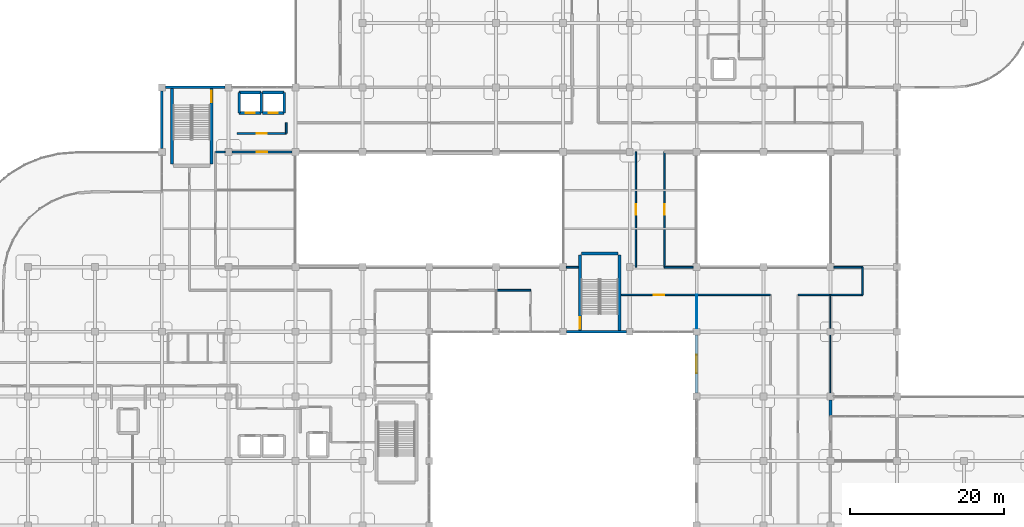
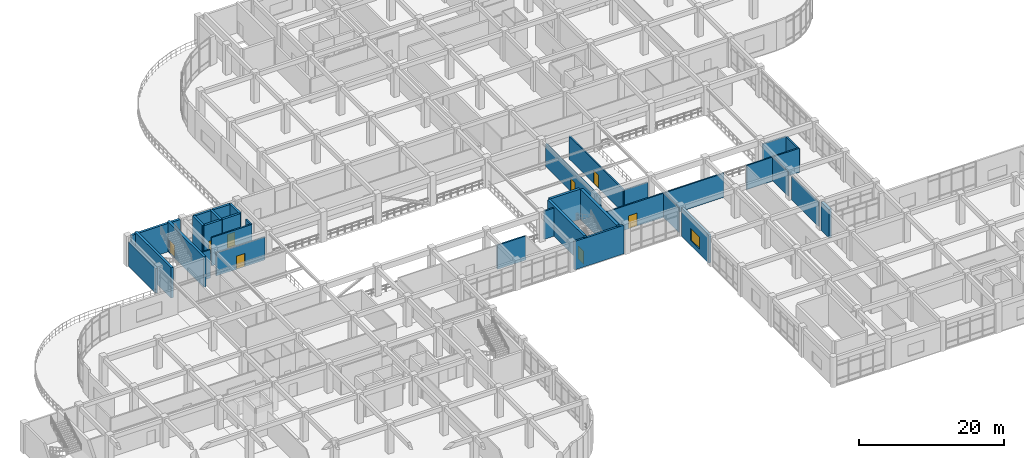
# One storey, part 102 of 120: 35 walls, 9 doors, 1 window, 10 openings.
"""IFC4 building model written with IfcOpenShell, lengths in metres."""

import ifcopenshell
import ifcopenshell.guid

model = None  # the IFC model being written
_history = None  # IfcOwnerHistory: only IFC2X3 demands one
_inside = {}  # id of a spatial element -> (the spatial element, [elements in it])
_under = {}  # id of a project, library or spatial element -> (it, [spatial elements below it])
_declared = {}  # id of a project -> (the project, [libraries it declares])
_typed = {}  # id of a type object -> (the type object, [elements of that type])
_made_of = {}  # id of a material, layer set ... -> (it, [elements and type objects made of it])


def new_model(schema):
    """Start an empty IFC model of exactly this schema.

    Asked for "IFC4X3", IfcOpenShell would pick the latest addendum, in which some entities
    have other attributes; the version numbers below select the first issue.
    IFC2X3 requires an IfcOwnerHistory on every rooted entity: one is made here for all.
    """
    global model, _history
    if schema == "IFC4X3":
        model = ifcopenshell.file(schema_version=(4, 3, 0, 0))
    else:
        model = ifcopenshell.file(schema=schema)
    _inside.clear()
    _under.clear()
    _declared.clear()
    _typed.clear()
    _made_of.clear()
    _history = None
    if model.schema == "IFC2X3":
        org = make("IfcOrganization", Name="unknown")
        user = make(
            "IfcPersonAndOrganization",
            ThePerson=make("IfcPerson", FamilyName="unknown"),
            TheOrganization=org,
        )
        app = make(
            "IfcApplication",
            ApplicationDeveloper=org,
            Version="unknown",
            ApplicationFullName="unknown",
            ApplicationIdentifier="unknown",
        )
        _history = make(
            "IfcOwnerHistory",
            OwningUser=user,
            OwningApplication=app,
            ChangeAction="ADDED",
            CreationDate=0,
        )
    return model


def make(cls, **values):
    """One entity of the class cls with the attributes given. An attribute that is None is left unset."""
    return model.create_entity(
        cls, **{name: value for name, value in values.items() if value is not None}
    )


def rooted(cls, **values):
    """An entity with a GlobalId (a new one), such as an element, a storey or a relation."""
    return make(cls, GlobalId=ifcopenshell.guid.new(), OwnerHistory=_history, **values)


def si_unit(unit_type, name, prefix=None):
    """IfcSIUnit, for example si_unit("LENGTHUNIT", "METRE", prefix="MILLI")."""
    return make("IfcSIUnit", UnitType=unit_type, Prefix=prefix, Name=name)


def derived_unit(unit_type, elements):
    """IfcDerivedUnit: a product of units, each with its exponent."""
    return make(
        "IfcDerivedUnit",
        Elements=[
            make("IfcDerivedUnitElement", Unit=unit, Exponent=power)
            for unit, power in elements
        ],
        UnitType=unit_type,
    )


def assignment(units):
    """IfcUnitAssignment: the units of a project."""
    return None if units is None else make("IfcUnitAssignment", Units=units)


def point(xyz):
    """IfcCartesianPoint."""
    return None if xyz is None else make("IfcCartesianPoint", Coordinates=xyz)


def direction(xyz):
    """IfcDirection."""
    return None if xyz is None else make("IfcDirection", DirectionRatios=xyz)


def frame(location, z_axis=None, x_axis=None):
    """IfcAxis2Placement3D, a coordinate frame: its origin and axes. An axis left out is left unset."""
    return make(
        "IfcAxis2Placement3D",
        Location=point(location),
        Axis=direction(z_axis),
        RefDirection=direction(x_axis),
    )


def frame_2d(location, x_axis=None):
    """IfcAxis2Placement2D, a coordinate frame in the plane: its origin and x axis."""
    return make(
        "IfcAxis2Placement2D", Location=point(location), RefDirection=direction(x_axis)
    )


def origin():
    """The frame at (0, 0, 0) with its axes left unset."""
    return frame((0.0, 0.0, 0.0))


def place(relative_to, where):
    """IfcLocalPlacement: puts the frame where relative to a parent placement (None: the world)."""
    return make(
        "IfcLocalPlacement", PlacementRelTo=relative_to, RelativePlacement=where
    )


def context(
    kind, dimensions, precision=None, world=None, true_north=None, identifier=None
):
    """IfcGeometricRepresentationContext, for example the 3D "Model" context."""
    return make(
        "IfcGeometricRepresentationContext",
        ContextIdentifier=identifier,
        ContextType=kind,
        CoordinateSpaceDimension=dimensions,
        Precision=precision,
        WorldCoordinateSystem=world,
        TrueNorth=true_north,
    )


def subcontext(parent, identifier, kind, view, scale=None):
    """IfcGeometricRepresentationSubContext, for example "Body" below "Model"."""
    return make(
        "IfcGeometricRepresentationSubContext",
        ContextIdentifier=identifier,
        ContextType=kind,
        ParentContext=parent,
        TargetScale=scale,
        TargetView=view,
    )


def project(units=None, contexts=None):
    """IfcProject with its units and contexts."""
    return rooted(
        "IfcProject",
        Name="project",
        RepresentationContexts=contexts,
        UnitsInContext=assignment(units),
    )


def spatial(cls, under=None, at=None, **own):
    """A site, building, storey or space (cls), placed at a placement, below another one or the project."""
    s = rooted(cls, ObjectPlacement=at, **own)
    if under is not None:
        _under.setdefault(under.id(), (under, []))[1].append(s)
    return s


def profile(cls, at=None, kind="AREA", **sizes):
    """A parametric profile (cls). Its sizes go by their IFC names, for example OverallWidth=200.0."""
    return make(cls, ProfileType=kind, Position=at, **sizes)


def rectangle(**sizes):
    """IfcRectangleProfileDef."""
    return profile("IfcRectangleProfileDef", **sizes)


def extrude(swept, where, along, depth):
    """IfcExtrudedAreaSolid: the profile swept, set in the frame where, extruded along a direction by depth."""
    return make(
        "IfcExtrudedAreaSolid",
        SweptArea=swept,
        Position=where,
        ExtrudedDirection=direction(along),
        Depth=depth,
    )


def shape(context_of_items, identifier, shape_type, items):
    """IfcShapeRepresentation: the items that make up one representation, for example the "Body"."""
    return make(
        "IfcShapeRepresentation",
        ContextOfItems=context_of_items,
        RepresentationIdentifier=identifier,
        RepresentationType=shape_type,
        Items=items,
    )


def material(Name=None, Category=None):
    """IfcMaterial."""
    return make("IfcMaterial", Name=Name, Category=Category)


def layer(
    of_material, thickness, ventilated=None, Name=None, Category=None, Priority=None
):
    """IfcMaterialLayer: one layer of a wall or slab, of a material (None: an air gap)."""
    return make(
        "IfcMaterialLayer",
        Material=of_material,
        LayerThickness=thickness,
        IsVentilated=ventilated,
        Name=Name,
        Category=Category,
        Priority=Priority,
    )


def layer_set(layers, Name=None):
    """IfcMaterialLayerSet."""
    return make("IfcMaterialLayerSet", MaterialLayers=layers, LayerSetName=Name)


def made_of(thing, what):
    """Note that an element or type object is made of a material, layer set ...; save() writes the relation."""
    if what is not None:
        _made_of.setdefault(what.id(), (what, []))[1].append(thing)
    return thing


def type_object(cls, material=None, **own):
    """A type object (cls), such as IfcWallType, which elements share."""
    return made_of(rooted(cls, **own), material)


def element(
    cls,
    number,
    at=None,
    inside=None,
    cuts=None,
    type_object=None,
    material=None,
    context=None,
    identifier="Body",
    shape_type=None,
    held_by="IfcProductDefinitionShape",
    body=None,
    shapes=None,
    **own,
):
    """One element of the class cls, such as IfcWall. Its Tag is "e" and its number.

    at: its placement. inside: the storey or other place that contains it. cuts: it is an
    opening in that element (IfcRelVoidsElement). A single representation is given by context,
    identifier, shape_type and body (its items); several are given by shapes. held_by: the class
    of the entity that holds the representations. save() writes the other relations.
    """
    e = rooted(cls, Tag="e%d" % number, ObjectPlacement=at, **own)
    if body is not None:
        shapes = [shape(context, identifier, shape_type, body)]
    if shapes is not None:
        e.Representation = make(held_by, Representations=shapes)
    if inside is not None:
        _inside.setdefault(inside.id(), (inside, []))[1].append(e)
    if cuts is not None:
        rooted(
            "IfcRelVoidsElement", RelatingBuildingElement=cuts, RelatedOpeningElement=e
        )
    if type_object is not None:
        _typed.setdefault(type_object.id(), (type_object, []))[1].append(e)
    return made_of(e, material)


def fill(opening, filler):
    """IfcRelFillsElement: the door or window that sits in an opening."""
    return rooted(
        "IfcRelFillsElement",
        RelatingOpeningElement=opening,
        RelatedBuildingElement=filler,
    )


def aggregate(whole, parts):
    """IfcRelAggregates: a whole, such as a stair, and the parts it consists of."""
    return rooted("IfcRelAggregates", RelatingObject=whole, RelatedObjects=parts)


def save(model, path):
    """Write the relations noted so far, then the file.

    IfcRelAggregates (storeys below a building ...), IfcRelContainedInSpatialStructure (elements
    in a storey), IfcRelDefinesByType, IfcRelAssociatesMaterial and IfcRelDeclares: one each for
    every whole, place, type object, material and project.
    """
    for whole, parts in _under.values():
        aggregate(whole, parts)
    for where, things in _inside.values():
        rooted(
            "IfcRelContainedInSpatialStructure",
            RelatedElements=things,
            RelatingStructure=where,
        )
    for kind, things in _typed.values():
        rooted("IfcRelDefinesByType", RelatedObjects=things, RelatingType=kind)
    for what, things in _made_of.values():
        rooted("IfcRelAssociatesMaterial", RelatedObjects=things, RelatingMaterial=what)
    for by, libraries in _declared.values():
        rooted("IfcRelDeclares", RelatingContext=by, RelatedDefinitions=libraries)
    model.write(path)


model = new_model("IFC4")

# Units and contexts
model_context = context("Model", 3, precision=1e-05, world=origin(), true_north=direction((0.0, 1.0)))
body_context = subcontext(model_context, "Body", "Model", "MODEL_VIEW")
ifc_project = project(units=[si_unit("LENGTHUNIT", "METRE"), si_unit("AREAUNIT", "SQUARE_METRE"), si_unit("VOLUMEUNIT", "CUBIC_METRE"), si_unit("PLANEANGLEUNIT", "RADIAN"), si_unit("MASSUNIT", "GRAM", prefix="KILO"), derived_unit("THERMALTRANSMITTANCEUNIT", [(si_unit("MASSUNIT", "GRAM", prefix="KILO"), 1), (si_unit("TIMEUNIT", "SECOND"), -3), (si_unit("THERMODYNAMICTEMPERATUREUNIT", "KELVIN"), -1)])], contexts=[model_context])

# Site, building, storey
site_placement = place(None, origin())
site = spatial("IfcSite", under=ifc_project, at=site_placement, CompositionType="ELEMENT")
building_placement = place(site_placement, origin())
building = spatial("IfcBuilding", under=site, at=building_placement, Name="Qinzheling Arcade Emporium", CompositionType="ELEMENT")
storey_placement = place(building_placement, frame((0.0, 0.0, 11.39990234375)))
storey = spatial("IfcBuildingStorey", under=building, at=storey_placement, Name="L03", CompositionType="ELEMENT", Elevation=11.39990234375)

# Wall
ifc_material_1 = material(Name="Double-stud acoustic gypsum board partition")
ifc_layer_1 = layer(ifc_material_1, 0.215087890625, Name="Double-stud acoustic gypsum board partition")
ifc_layer_set_1 = layer_set([ifc_layer_1], Name="Double-stud acoustic gypsum board partition")
wall_type_1 = type_object("IfcWallType", Name="Acoustic Corridor Partition Wall 215", PredefinedType="PARTITIONING", material=ifc_layer_set_1)
wall_1_placement = place(storey_placement, frame((51.0, 69.199951171875, 0.0), z_axis=(0.0, 0.0, 1.0), x_axis=(0.0, -1.0, 0.0)))
element("IfcWall", 1, at=wall_1_placement, inside=storey, type_object=wall_type_1, Name="Interior Wall WL-L03-INT-0441", PredefinedType="PARTITIONING", context=body_context, shape_type="SweptSolid", body=[
    extrude(rectangle(XDim=1.39990234375, YDim=0.215087890625, at=frame_2d((0.699951171875, 0.0))), origin(), (0.0, 0.0, 1.0), 4.760009765625),
])

# Wall, opening, door
wall_2_placement = place(storey_placement, frame((51.0, 67.800048828125, 0.0), z_axis=(0.0, 0.0, 1.0), x_axis=(-1.0, 0.0, 0.0)))
wall_2 = element("IfcWall", 2, at=wall_2_placement, inside=storey, type_object=wall_type_1, Name="Interior Wall WL-L03-INT-0442", PredefinedType="PARTITIONING", context=body_context, shape_type="SweptSolid", body=[
    extrude(rectangle(XDim=6.39990234375, YDim=0.215087890625, at=frame_2d((3.199951171875, 0.0))), origin(), (0.0, 0.0, 1.0), 4.760009765625),
])
opening_1_placement = place(wall_2_placement, frame((2.52490234375, 0.0, 0.0)))
opening_1 = element("IfcOpeningElement", 3, at=opening_1_placement, cuts=wall_2, Name="Opening FD05", PredefinedType="OPENING", context=body_context, shape_type="SweptSolid", body=[
    extrude(rectangle(XDim=1.35009765625, YDim=2.199951171875, at=frame_2d((0.675048828125, 1.10009765625))), frame((0.0, 0.11767578125, 0.0), z_axis=(0.0, -1.0, 0.0), x_axis=(1.0, 0.0, 0.0)), (0.0, 0.0, 1.0), 0.235107421875),
])
ifc_material_2 = material(Name="Class B fire-rated stainless-clad door")
door_type_1 = type_object("IfcDoorType", Name="Kitchen Fire-Rated Service Door 1350x2200", OperationType="NOTDEFINED", PredefinedType="DOOR", material=ifc_material_2)
door_1_placement = place(opening_1_placement, origin())
door_1 = element("IfcDoor", 4, at=door_1_placement, inside=storey, type_object=door_type_1, Name="FD05 Interior Door DR-L03-INT-0122", OperationType="SINGLE_SWING_RIGHT", OverallHeight=2.199951171875, OverallWidth=1.35009765625, PredefinedType="DOOR", context=body_context, shape_type="SweptSolid", body=[
    extrude(rectangle(XDim=1.35009765625, YDim=2.199951171875, at=frame_2d((0.675048828125, 1.10009765625))), frame((0.0, 0.02490234375, 0.0), z_axis=(0.0, -1.0, 0.0), x_axis=(1.0, 0.0, 0.0)), (0.0, 0.0, 1.0), 0.050048828125),
])
fill(opening_1, door_1)

wall_3_placement = place(storey_placement, frame((51.739990234375, 65.39990234375, 0.0), z_axis=(0.0, 0.0, 1.0), x_axis=(-1.0, 0.0, 0.0)))
wall_3 = element("IfcWall", 5, at=wall_3_placement, inside=storey, type_object=wall_type_1, Name="Interior Wall WL-L03-INT-0484", PredefinedType="PARTITIONING", context=body_context, shape_type="SweptSolid", body=[
    extrude(rectangle(XDim=7.780029296875, YDim=0.215087890625, at=frame_2d((3.89013671875, 0.0))), origin(), (0.0, 0.0, 1.0), 3.860107421875),
])
opening_2_placement = place(wall_3_placement, frame((3.215087890625, 0.0, 0.0)))
opening_2 = element("IfcOpeningElement", 6, at=opening_2_placement, cuts=wall_3, Name="Opening FD05", PredefinedType="OPENING", context=body_context, shape_type="SweptSolid", body=[
    extrude(rectangle(XDim=1.35009765625, YDim=2.199951171875, at=frame_2d((0.675048828125, 1.10009765625))), frame((0.0, 0.11767578125, 0.0), z_axis=(0.0, -1.0, 0.0), x_axis=(1.0, 0.0, 0.0)), (0.0, 0.0, 1.0), 0.235107421875),
])
door_2_placement = place(opening_2_placement, origin())
door_2 = element("IfcDoor", 7, at=door_2_placement, inside=storey, type_object=door_type_1, Name="FD05 Interior Door DR-L03-INT-0137", OperationType="SINGLE_SWING_LEFT", OverallHeight=2.199951171875, OverallWidth=1.35009765625, PredefinedType="DOOR", context=body_context, shape_type="SweptSolid", body=[
    extrude(rectangle(XDim=1.35009765625, YDim=2.199951171875, at=frame_2d((0.675048828125, 1.10009765625))), frame((0.0, 0.02490234375, 0.0), z_axis=(0.0, -1.0, 0.0), x_axis=(1.0, 0.0, 0.0)), (0.0, 0.0, 1.0), 0.050048828125),
])
fill(opening_2, door_2)

# Wall
wall_4_placement = place(storey_placement, frame((43.0400390625, 65.39990234375, 0.0), z_axis=(0.0, 0.0, 1.0), x_axis=(-1.0, 0.0, 0.0)))
element("IfcWall", 8, at=wall_4_placement, inside=storey, type_object=wall_type_1, Name="Interior Wall WL-L03-INT-0485", PredefinedType="PARTITIONING", context=body_context, shape_type="SweptSolid", body=[
    extrude(rectangle(XDim=1.239990234375, YDim=0.215087890625, at=frame_2d((0.6201171875, 0.0))), origin(), (0.0, 0.0, 1.0), 4.760009765625),
])

# Wall, opening, door
wall_5_placement = place(storey_placement, frame((104.39990234375, 46.800048828125, 0.0), z_axis=(0.0, 0.0, 1.0), x_axis=(-1.0, 0.0, 0.0)))
wall_5 = element("IfcWall", 9, at=wall_5_placement, inside=storey, type_object=wall_type_1, Name="Interior Wall WL-L03-INT-0489", PredefinedType="PARTITIONING", context=body_context, shape_type="SweptSolid", body=[
    extrude(rectangle(XDim=9.804931640625, YDim=0.215087890625, at=frame_2d((4.90234375, 0.0))), origin(), (0.0, 0.0, 1.0), 4.06005859375),
])
opening_3_placement = place(wall_5_placement, frame((4.22802734375, 0.0, 0.0)))
opening_3 = element("IfcOpeningElement", 10, at=opening_3_placement, cuts=wall_5, Name="Opening FD05", PredefinedType="OPENING", context=body_context, shape_type="SweptSolid", body=[
    extrude(rectangle(XDim=1.35009765625, YDim=2.199951171875, at=frame_2d((0.675048828125, 1.10009765625))), frame((0.0, 0.11767578125, 0.0), z_axis=(0.0, -1.0, 0.0), x_axis=(1.0, 0.0, 0.0)), (0.0, 0.0, 1.0), 0.235107421875),
])
door_3_placement = place(opening_3_placement, origin())
door_3 = element("IfcDoor", 11, at=door_3_placement, inside=storey, type_object=door_type_1, Name="FD05 Interior Door DR-L03-INT-0140", OperationType="SINGLE_SWING_RIGHT", OverallHeight=2.199951171875, OverallWidth=1.35009765625, PredefinedType="DOOR", context=body_context, shape_type="SweptSolid", body=[
    extrude(rectangle(XDim=1.35009765625, YDim=2.199951171875, at=frame_2d((0.675048828125, 1.10009765625))), frame((0.0, 0.02490234375, 0.0), z_axis=(0.0, -1.0, 0.0), x_axis=(1.0, 0.0, 0.0)), (0.0, 0.0, 1.0), 0.050048828125),
])
fill(opening_3, door_3)

# Wall
wall_6_placement = place(storey_placement, frame((82.800048828125, 47.39990234375, 0.0), z_axis=(0.0, 0.0, 1.0), x_axis=(-1.0, 0.0, 0.0)))
element("IfcWall", 12, at=wall_6_placement, inside=storey, type_object=wall_type_1, Name="Interior Wall WL-L03-INT-0491", PredefinedType="PARTITIONING", context=body_context, shape_type="SweptSolid", body=[
    extrude(rectangle(XDim=4.5, YDim=0.215087890625, at=frame_2d((2.25, 0.0))), origin(), (0.0, 0.0, 1.0), 4.06005859375),
])

# Wall, opening, door
wall_7_placement = place(storey_placement, frame((100.199951171875, 65.39990234375, 0.0), z_axis=(0.0, 0.0, 1.0), x_axis=(0.0, -1.0, 0.0)))
wall_7 = element("IfcWall", 13, at=wall_7_placement, inside=storey, type_object=wall_type_1, Name="Interior Wall WL-L03-INT-0497", PredefinedType="PARTITIONING", context=body_context, shape_type="SweptSolid", body=[
    extrude(rectangle(XDim=15.0, YDim=0.215087890625, at=frame_2d((7.5, 0.0))), origin(), (0.0, 0.0, 1.0), 3.860107421875),
])
opening_4_placement = place(wall_7_placement, frame((6.824951171875, 0.0, 0.0)))
opening_4 = element("IfcOpeningElement", 14, at=opening_4_placement, cuts=wall_7, Name="Opening FD05", PredefinedType="OPENING", context=body_context, shape_type="SweptSolid", body=[
    extrude(rectangle(XDim=1.35009765625, YDim=2.199951171875, at=frame_2d((0.675048828125, 1.10009765625))), frame((0.0, 0.11767578125, 0.0), z_axis=(0.0, -1.0, 0.0), x_axis=(1.0, 0.0, 0.0)), (0.0, 0.0, 1.0), 0.235107421875),
])
door_4_placement = place(opening_4_placement, origin())
door_4 = element("IfcDoor", 15, at=door_4_placement, inside=storey, type_object=door_type_1, Name="FD05 Interior Door DR-L03-INT-0144", OperationType="SINGLE_SWING_RIGHT", OverallHeight=2.199951171875, OverallWidth=1.35009765625, PredefinedType="DOOR", context=body_context, shape_type="SweptSolid", body=[
    extrude(rectangle(XDim=1.35009765625, YDim=2.199951171875, at=frame_2d((0.675048828125, 1.10009765625))), frame((0.0, 0.02490234375, 0.0), z_axis=(0.0, -1.0, 0.0), x_axis=(1.0, 0.0, 0.0)), (0.0, 0.0, 1.0), 0.050048828125),
])
fill(opening_4, door_4)

# Walls
wall_8_placement = place(storey_placement, frame((100.199951171875, 50.39990234375, 0.0), z_axis=(0.0, 0.0, 1.0), x_axis=(1.0, 0.0, 0.0)))
element("IfcWall", 16, at=wall_8_placement, inside=storey, type_object=wall_type_1, Name="Interior Wall WL-L03-INT-0498", PredefinedType="PARTITIONING", context=body_context, shape_type="SweptSolid", body=[
    extrude(rectangle(XDim=3.739990234375, YDim=0.215087890625, at=frame_2d((1.8701171875, 0.0))), origin(), (0.0, 0.0, 1.0), 3.860107421875),
])
wall_9_placement = place(storey_placement, frame((87.4599609375, 50.39990234375, 0.0), z_axis=(0.0, 0.0, 1.0), x_axis=(1.0, 0.0, 0.0)))
element("IfcWall", 17, at=wall_9_placement, inside=storey, type_object=wall_type_1, Name="Interior Wall WL-L03-INT-0499", PredefinedType="PARTITIONING", context=body_context, shape_type="SweptSolid", body=[
    extrude(rectangle(XDim=1.53515625, YDim=0.215087890625, at=frame_2d((0.767578125, 0.0))), origin(), (0.0, 0.0, 1.0), 4.760009765625),
])

# Wall, opening, door
wall_10_placement = place(storey_placement, frame((96.5, 50.39990234375, 0.0), z_axis=(0.0, 0.0, 1.0), x_axis=(0.0, 1.0, 0.0)))
wall_10 = element("IfcWall", 18, at=wall_10_placement, inside=storey, type_object=wall_type_1, Name="Interior Wall WL-L03-INT-0500", PredefinedType="PARTITIONING", context=body_context, shape_type="SweptSolid", body=[
    extrude(rectangle(XDim=15.0, YDim=0.215087890625, at=frame_2d((7.5, 0.0))), origin(), (0.0, 0.0, 1.0), 3.860107421875),
])
opening_5_placement = place(wall_10_placement, frame((6.824951171875, 0.0, 0.0)))
opening_5 = element("IfcOpeningElement", 19, at=opening_5_placement, cuts=wall_10, Name="Opening FD05", PredefinedType="OPENING", context=body_context, shape_type="SweptSolid", body=[
    extrude(rectangle(XDim=1.35009765625, YDim=2.199951171875, at=frame_2d((0.675048828125, 1.10009765625))), frame((0.0, 0.11767578125, 0.0), z_axis=(0.0, -1.0, 0.0), x_axis=(1.0, 0.0, 0.0)), (0.0, 0.0, 1.0), 0.235107421875),
])
door_5_placement = place(opening_5_placement, origin())
door_5 = element("IfcDoor", 20, at=door_5_placement, inside=storey, type_object=door_type_1, Name="FD05 Interior Door DR-L03-INT-0145", OperationType="SINGLE_SWING_LEFT", OverallHeight=2.199951171875, OverallWidth=1.35009765625, PredefinedType="DOOR", context=body_context, shape_type="SweptSolid", body=[
    extrude(rectangle(XDim=1.35009765625, YDim=2.199951171875, at=frame_2d((0.675048828125, 1.10009765625))), frame((0.0, 0.02490234375, 0.0), z_axis=(0.0, -1.0, 0.0), x_axis=(1.0, 0.0, 0.0)), (0.0, 0.0, 1.0), 0.050048828125),
])
fill(opening_5, door_5)

# Walls
wall_11_placement = place(storey_placement, frame((114.0, 46.800048828125, 0.0), z_axis=(0.0, 0.0, 1.0), x_axis=(-1.0, 0.0, 0.0)))
element("IfcWall", 21, at=wall_11_placement, inside=storey, type_object=wall_type_1, Name="Interior Wall WL-L03-INT-0504", PredefinedType="PARTITIONING", context=body_context, shape_type="SweptSolid", body=[
    extrude(rectangle(XDim=9.60009765625, YDim=0.215087890625, at=frame_2d((4.800048828125, 0.0))), origin(), (0.0, 0.0, 1.0), 4.06005859375),
])
wall_12_placement = place(storey_placement, frame((121.800048828125, 46.800048828125, 0.0), z_axis=(0.0, 0.0, 1.0), x_axis=(-1.0, 0.0, 0.0)))
element("IfcWall", 22, at=wall_12_placement, inside=storey, type_object=wall_type_1, Name="Interior Wall WL-L03-INT-0508", PredefinedType="PARTITIONING", context=body_context, shape_type="SweptSolid", body=[
    extrude(rectangle(XDim=4.199951171875, YDim=0.215087890625, at=frame_2d((2.10009765625, 0.0))), origin(), (0.0, 0.0, 1.0), 4.06005859375),
])
wall_13_placement = place(storey_placement, frame((122.260009765625, 50.39990234375, 0.0), z_axis=(0.0, 0.0, 1.0), x_axis=(1.0, 0.0, 0.0)))
element("IfcWall", 23, at=wall_13_placement, inside=storey, type_object=wall_type_1, Name="Interior Wall WL-L03-INT-0514", PredefinedType="PARTITIONING", context=body_context, shape_type="SweptSolid", body=[
    extrude(rectangle(XDim=3.739990234375, YDim=0.215087890625, at=frame_2d((1.8701171875, 0.0))), origin(), (0.0, 0.0, 1.0), 3.860107421875),
])
wall_14_placement = place(storey_placement, frame((126.0, 50.39990234375, 0.0), z_axis=(0.0, 0.0, 1.0), x_axis=(0.0, -1.0, 0.0)))
element("IfcWall", 24, at=wall_14_placement, inside=storey, type_object=wall_type_1, Name="Interior Wall WL-L03-INT-0515", PredefinedType="PARTITIONING", context=body_context, shape_type="SweptSolid", body=[
    extrude(rectangle(XDim=3.599853515625, YDim=0.215087890625, at=frame_2d((1.7998046875, 0.0))), origin(), (0.0, 0.0, 1.0), 3.860107421875),
])
wall_15_placement = place(storey_placement, frame((126.0, 46.800048828125, 0.0), z_axis=(0.0, 0.0, 1.0), x_axis=(-1.0, 0.0, 0.0)))
element("IfcWall", 25, at=wall_15_placement, inside=storey, type_object=wall_type_1, Name="Interior Wall WL-L03-INT-0516", PredefinedType="PARTITIONING", context=body_context, shape_type="SweptSolid", body=[
    extrude(rectangle(XDim=4.199951171875, YDim=0.215087890625, at=frame_2d((2.10009765625, 0.0))), origin(), (0.0, 0.0, 1.0), 4.06005859375),
])
ifc_material_3 = material(Name="Galvanised stud back-of-house partition")
ifc_layer_2 = layer(ifc_material_3, 0.1201171875, Name="Galvanised stud back-of-house partition")
ifc_layer_set_2 = layer_set([ifc_layer_2], Name="Galvanised stud back-of-house partition")
wall_type_2 = type_object("IfcWallType", Name="Back-of-House Partition Wall 120", PredefinedType="PARTITIONING", material=ifc_layer_set_2)
wall_16_placement = place(storey_placement, frame((104.39990234375, 46.800048828125, 0.0), z_axis=(0.0, 0.0, 1.0), x_axis=(0.0, -1.0, 0.0)))
element("IfcWall", 26, at=wall_16_placement, inside=storey, type_object=wall_type_2, Name="Interior Wall WL-L03-INT-0554", PredefinedType="PARTITIONING", context=body_context, shape_type="SweptSolid", body=[
    extrude(rectangle(XDim=4.340087890625, YDim=0.1201171875, at=frame_2d((2.169921875, 0.0))), origin(), (0.0, 0.0, 1.0), 4.16015625),
])
ifc_material_4 = material(Name="Glazed-transom steel-stud office partition", Category="steel")
ifc_layer_3 = layer(ifc_material_4, 0.135009765625, Name="Glazed-transom steel-stud office partition", Category="steel")
ifc_layer_set_3 = layer_set([ifc_layer_3], Name="Glazed-transom steel-stud office partition")
wall_type_3 = type_object("IfcWallType", Name="Buying Office Acoustic Partition Wall 135", PredefinedType="PARTITIONING", material=ifc_layer_set_3)
wall_17_placement = place(storey_placement, frame((121.800048828125, 46.800048828125, 0.0), z_axis=(0.0, 0.0, 1.0), x_axis=(0.0, -1.0, 0.0)))
element("IfcWall", 27, at=wall_17_placement, inside=storey, type_object=wall_type_3, Name="Interior Wall WL-L03-INT-0564", PredefinedType="PARTITIONING", context=body_context, shape_type="SweptSolid", body=[
    extrude(rectangle(XDim=4.340087890625, YDim=0.135009765625, at=frame_2d((2.169921875, 0.0))), origin(), (0.0, 0.0, 1.0), 4.06005859375),
])
wall_18_placement = place(storey_placement, frame((121.800048828125, 41.5400390625, 0.0), z_axis=(0.0, 0.0, 1.0), x_axis=(0.0, -1.0, 0.0)))
element("IfcWall", 28, at=wall_18_placement, inside=storey, type_object=wall_type_3, Name="Interior Wall WL-L03-INT-0565", PredefinedType="PARTITIONING", context=body_context, shape_type="SweptSolid", body=[
    extrude(rectangle(XDim=7.47998046875, YDim=0.135009765625, at=frame_2d((3.739990234375, 0.0))), origin(), (0.0, 0.0, 1.0), 4.06005859375),
])
ifc_material_5 = material(Name="Glazed cream terracotta insulated wall", Category="masonry")
ifc_layer_4 = layer(ifc_material_5, 0.320068359375, Name="Glazed cream terracotta insulated wall", Category="masonry")
ifc_layer_set_4 = layer_set([ifc_layer_4], Name="Glazed cream terracotta insulated wall")
wall_type_4 = type_object("IfcWallType", Name="Chicago Frame Infill Wall 320", PredefinedType="STANDARD", material=ifc_layer_set_4)
wall_19_placement = place(storey_placement, frame((34.800048828125, 65.85205078125, 0.0), z_axis=(0.0, 0.0, 1.0), x_axis=(0.0, 1.0, 0.0)))
element("IfcWall", 29, at=wall_19_placement, inside=storey, type_object=wall_type_4, Name="Exterior Wall WL-L03-EW-0175", PredefinedType="STANDARD", context=body_context, shape_type="SweptSolid", body=[
    extrude(rectangle(XDim=7.495849609375, YDim=0.320068359375, at=frame_2d((3.748046875, 0.0))), origin(), (0.0, 0.0, 1.0), 4.155029296875),
])
ifc_material_6 = material(Name="Fluted granite ashlar on Concrete C40", Category="masonry")
ifc_layer_5 = layer(ifc_material_6, 0.35009765625, Name="Fluted granite ashlar on Concrete C40", Category="masonry")
ifc_layer_set_5 = layer_set([ifc_layer_5], Name="Fluted granite ashlar on Concrete C40")
wall_type_5 = type_object("IfcWallType", Name="Fluted Granite Logistics Wall 350", PredefinedType="STANDARD", material=ifc_layer_set_5)
wall_20_placement = place(storey_placement, frame((35.251953125, 73.800048828125, 0.0), z_axis=(0.0, 0.0, 1.0), x_axis=(1.0, 0.0, 0.0)))
element("IfcWall", 30, at=wall_20_placement, inside=storey, type_object=wall_type_5, Name="Exterior Wall WL-L03-EW-0176", PredefinedType="STANDARD", context=body_context, shape_type="SweptSolid", body=[
    extrude(rectangle(XDim=7.796142578125, YDim=0.35009765625, at=frame_2d((3.89794921875, 0.0))), origin(), (0.0, 0.0, 1.0), 4.7900390625),
])
ifc_material_7 = material(Name="Glazed cream terracotta on Concrete C40", Category="masonry")
ifc_layer_6 = layer(ifc_material_7, 0.3798828125, Name="Glazed cream terracotta on Concrete C40", Category="masonry")
ifc_layer_set_6 = layer_set([ifc_layer_6], Name="Glazed cream terracotta on Concrete C40")
wall_type_6 = type_object("IfcWallType", Name="Glazed Cream Terracotta Structural Wall 380", PredefinedType="STANDARD", material=ifc_layer_set_6)
wall_21_placement = place(storey_placement, frame((121.800048828125, 33.14794921875, 0.0), z_axis=(0.0, 0.0, 1.0), x_axis=(0.0, -1.0, 0.0)))
element("IfcWall", 31, at=wall_21_placement, inside=storey, type_object=wall_type_6, Name="Exterior Wall WL-L03-EW-0198", PredefinedType="STANDARD", context=body_context, shape_type="SweptSolid", body=[
    extrude(rectangle(XDim=2.14794921875, YDim=0.3798828125, at=frame_2d((1.073974609375, 0.0))), origin(), (0.0, 0.0, 1.0), 4.7900390625),
])

# Wall, opening, window
ifc_layer_7 = layer(ifc_material_7, 0.360107421875, Name="Glazed cream terracotta on Concrete C40", Category="masonry")
ifc_layer_set_7 = layer_set([ifc_layer_7], Name="Glazed cream terracotta on Concrete C40")
wall_type_7 = type_object("IfcWallType", Name="Glazed Terracotta Pier Wall 360", PredefinedType="STANDARD", material=ifc_layer_set_7)
wall_22_placement = place(storey_placement, frame((104.39990234375, 34.052001953125, 0.0), z_axis=(0.0, 0.0, 1.0), x_axis=(0.0, 1.0, 0.0)))
wall_22 = element("IfcWall", 32, at=wall_22_placement, inside=storey, type_object=wall_type_7, Name="Exterior Wall WL-L03-EW-0155", PredefinedType="STANDARD", context=body_context, shape_type="SweptSolid", body=[
    extrude(rectangle(XDim=7.49609375, YDim=0.360107421875, at=frame_2d((3.748046875, 0.0))), origin(), (0.0, 0.0, 1.0), 4.7900390625),
])
opening_6_placement = place(wall_22_placement, frame((2.548095703125, 0.0, 0.85009765625)))
opening_6 = element("IfcOpeningElement", 33, at=opening_6_placement, cuts=wall_22, Name="Opening WN54", PredefinedType="OPENING", context=body_context, shape_type="SweptSolid", body=[
    extrude(rectangle(XDim=2.39990234375, YDim=2.050048828125, at=frame_2d((1.199951171875, 1.02490234375))), frame((0.0, 0.18994140625, 0.0), z_axis=(0.0, -1.0, 0.0), x_axis=(1.0, 0.0, 0.0)), (0.0, 0.0, 1.0), 0.380126953125),
])
ifc_material_8 = material(Name="Thermally broken aluminium frame with solar-control double glazing", Category="aluminium")
window_type = type_object("IfcWindowType", Name="Chicago Tripartite Window 2400x2050", PartitioningType="TRIPLE_PANEL_VERTICAL", PredefinedType="WINDOW", material=ifc_material_8)
window_placement = place(opening_6_placement, origin())
window = element("IfcWindow", 34, at=window_placement, inside=storey, type_object=window_type, Name="WN54 Window WN-L03-0041", OverallHeight=2.050048828125, OverallWidth=2.39990234375, PartitioningType="TRIPLE_PANEL_VERTICAL", PredefinedType="WINDOW", context=body_context, shape_type="SweptSolid", body=[
    extrude(rectangle(XDim=2.39990234375, YDim=2.050048828125, at=frame_2d((1.199951171875, 1.02490234375))), frame((0.0, 0.030029296875, 0.0), z_axis=(0.0, -1.0, 0.0), x_axis=(1.0, 0.0, 0.0)), (0.0, 0.0, 1.0), 0.06005859375),
])
fill(opening_6, window)

# Wall
ifc_material_9 = material(Name="Concrete C40", Category="concrete")
ifc_layer_8 = layer(ifc_material_9, 0.35009765625, Name="Concrete C40", Category="concrete")
ifc_layer_set_8 = layer_set([ifc_layer_8], Name="Concrete C40")
wall_type_8 = type_object("IfcWallType", Name="RC Lift Shaft Shear Wall 350 C40", PredefinedType="SHEAR", material=ifc_layer_set_8)
wall_23_placement = place(storey_placement, frame((44.875, 73.125, 0.0), z_axis=(0.0, 0.0, 1.0), x_axis=(1.0, 0.0, 0.0)))
element("IfcWall", 35, at=wall_23_placement, inside=storey, type_object=wall_type_8, Name="Lift Shaft Wall WL-L03-LFT-LP03-N", PredefinedType="SHEAR", context=body_context, shape_type="SweptSolid", body=[
    extrude(rectangle(XDim=2.85009765625, YDim=0.35009765625, at=frame_2d((1.425048828125, 0.0))), origin(), (0.0, 0.0, 1.0), 5.10009765625),
])

# Wall, opening, door
wall_24_placement = place(storey_placement, frame((47.72509765625, 70.47509765625, 0.0), z_axis=(0.0, 0.0, 1.0), x_axis=(-1.0, 0.0, 0.0)))
wall_24 = element("IfcWall", 36, at=wall_24_placement, inside=storey, type_object=wall_type_8, Name="Lift Shaft Wall WL-L03-LFT-LP03-S", PredefinedType="SHEAR", context=body_context, shape_type="SweptSolid", body=[
    extrude(rectangle(XDim=2.85009765625, YDim=0.35009765625, at=frame_2d((1.425048828125, 0.0))), origin(), (0.0, 0.0, 1.0), 5.10009765625),
])
opening_7_placement = place(wall_24_placement, frame((0.824951171875, 0.0, 0.0)))
opening_7 = element("IfcOpeningElement", 37, at=opening_7_placement, cuts=wall_24, Name="Opening LD02", PredefinedType="OPENING", context=body_context, shape_type="SweptSolid", body=[
    extrude(rectangle(XDim=1.199951171875, YDim=2.199951171875, at=frame_2d((0.60009765625, 1.10009765625))), frame((0.0, 0.18505859375, 0.0), z_axis=(0.0, -1.0, 0.0), x_axis=(1.0, 0.0, 0.0)), (0.0, 0.0, 1.0), 0.3701171875),
])
ifc_material_10 = material(Name="Brushed bronze stainless sliding lift door")
door_type_2 = type_object("IfcDoorType", Name="Passenger Lift Sliding Landing Door 1200x2200", OperationType="DOUBLE_DOOR_SLIDING", PredefinedType="DOOR", material=ifc_material_10)
door_6_placement = place(opening_7_placement, origin())
door_6 = element("IfcDoor", 38, at=door_6_placement, inside=storey, type_object=door_type_2, Name="LD02 Lift Landing Door LP03 L03", OperationType="DOUBLE_DOOR_SLIDING", OverallHeight=2.199951171875, OverallWidth=1.199951171875, PredefinedType="DOOR", context=body_context, shape_type="SweptSolid", body=[
    extrude(rectangle(XDim=1.199951171875, YDim=2.199951171875, at=frame_2d((0.60009765625, 1.10009765625))), frame((0.0, 0.02490234375, 0.0), z_axis=(0.0, -1.0, 0.0), x_axis=(1.0, 0.0, 0.0)), (0.0, 0.0, 1.0), 0.050048828125),
])
fill(opening_7, door_6)

# Walls
for number, where, z_axis, x_axis, name in (
    (39, (44.875, 70.47509765625, 0.0), (0.0, 0.0, 1.0), (0.0, 1.0, 0.0), "Lift Shaft Wall WL-L03-LFT-LP03-W"),
    (40, (47.72509765625, 73.125, 0.0), (0.0, 0.0, 1.0), (0.0, -1.0, 0.0), "Lift Shaft Wall WL-L03-LFT-LP03-E"),
):
    element("IfcWall", number, at=place(storey_placement, frame(where, z_axis=z_axis, x_axis=x_axis)), inside=storey, type_object=wall_type_8, Name=name, PredefinedType="SHEAR", context=body_context, shape_type="SweptSolid", body=[
        extrude(rectangle(XDim=2.64990234375, YDim=0.35009765625, at=frame_2d((1.324951171875, 0.0))), origin(), (0.0, 0.0, 1.0), 5.10009765625),
    ])
wall_25_placement = place(storey_placement, frame((47.875, 73.125, 0.0), z_axis=(0.0, 0.0, 1.0), x_axis=(1.0, 0.0, 0.0)))
element("IfcWall", 41, at=wall_25_placement, inside=storey, type_object=wall_type_8, Name="Lift Shaft Wall WL-L03-LFT-LP04-N", PredefinedType="SHEAR", context=body_context, shape_type="SweptSolid", body=[
    extrude(rectangle(XDim=2.85009765625, YDim=0.35009765625, at=frame_2d((1.425048828125, 0.0))), origin(), (0.0, 0.0, 1.0), 5.10009765625),
])

# Wall, opening, door
wall_26_placement = place(storey_placement, frame((50.72509765625, 70.47509765625, 0.0), z_axis=(0.0, 0.0, 1.0), x_axis=(-1.0, 0.0, 0.0)))
wall_26 = element("IfcWall", 42, at=wall_26_placement, inside=storey, type_object=wall_type_8, Name="Lift Shaft Wall WL-L03-LFT-LP04-S", PredefinedType="SHEAR", context=body_context, shape_type="SweptSolid", body=[
    extrude(rectangle(XDim=2.85009765625, YDim=0.35009765625, at=frame_2d((1.425048828125, 0.0))), origin(), (0.0, 0.0, 1.0), 5.10009765625),
])
opening_8_placement = place(wall_26_placement, frame((0.824951171875, 0.0, 0.0)))
opening_8 = element("IfcOpeningElement", 43, at=opening_8_placement, cuts=wall_26, Name="Opening LD02", PredefinedType="OPENING", context=body_context, shape_type="SweptSolid", body=[
    extrude(rectangle(XDim=1.199951171875, YDim=2.199951171875, at=frame_2d((0.60009765625, 1.10009765625))), frame((0.0, 0.18505859375, 0.0), z_axis=(0.0, -1.0, 0.0), x_axis=(1.0, 0.0, 0.0)), (0.0, 0.0, 1.0), 0.3701171875),
])
door_7_placement = place(opening_8_placement, origin())
door_7 = element("IfcDoor", 44, at=door_7_placement, inside=storey, type_object=door_type_2, Name="LD02 Lift Landing Door LP04 L03", OperationType="DOUBLE_DOOR_SLIDING", OverallHeight=2.199951171875, OverallWidth=1.199951171875, PredefinedType="DOOR", context=body_context, shape_type="SweptSolid", body=[
    extrude(rectangle(XDim=1.199951171875, YDim=2.199951171875, at=frame_2d((0.60009765625, 1.10009765625))), frame((0.0, 0.02490234375, 0.0), z_axis=(0.0, -1.0, 0.0), x_axis=(1.0, 0.0, 0.0)), (0.0, 0.0, 1.0), 0.050048828125),
])
fill(opening_8, door_7)

# Walls
wall_27_placement = place(storey_placement, frame((50.72509765625, 73.125, 0.0), z_axis=(0.0, 0.0, 1.0), x_axis=(0.0, -1.0, 0.0)))
element("IfcWall", 45, at=wall_27_placement, inside=storey, type_object=wall_type_8, Name="Lift Shaft Wall WL-L03-LFT-LP04-E", PredefinedType="SHEAR", context=body_context, shape_type="SweptSolid", body=[
    extrude(rectangle(XDim=2.64990234375, YDim=0.35009765625, at=frame_2d((1.324951171875, 0.0))), origin(), (0.0, 0.0, 1.0), 5.10009765625),
])
ifc_material_11 = material(Name="Concrete C50", Category="concrete")
ifc_layer_9 = layer(ifc_material_11, 0.39990234375, Name="Concrete C50", Category="concrete")
ifc_layer_set_9 = layer_set([ifc_layer_9], Name="Concrete C50")
wall_type_9 = type_object("IfcWallType", Name="RC Stair Core Shear Wall 400 C50", PredefinedType="SHEAR", material=ifc_layer_set_9)
wall_28_placement = place(storey_placement, frame((36.10009765625, 63.800048828125, 0.0), z_axis=(0.0, 0.0, 1.0), x_axis=(0.0, 1.0, 0.0)))
element("IfcWall", 46, at=wall_28_placement, inside=storey, type_object=wall_type_9, Name="Stair Core Wall WL-L03-ST03-WEST", PredefinedType="SHEAR", context=body_context, shape_type="SweptSolid", body=[
    extrude(rectangle(XDim=10.0, YDim=0.39990234375, at=frame_2d((5.0, 0.0))), origin(), (0.0, 0.0, 1.0), 5.10009765625),
])

# Wall, opening, door
wall_29_placement = place(storey_placement, frame((41.2900390625, 73.800048828125, 0.0), z_axis=(0.0, 0.0, 1.0), x_axis=(0.0, -1.0, 0.0)))
wall_29 = element("IfcWall", 47, at=wall_29_placement, inside=storey, type_object=wall_type_9, Name="Stair Core Wall WL-L03-ST03-EAST", PredefinedType="SHEAR", context=body_context, shape_type="SweptSolid", body=[
    extrude(rectangle(XDim=10.0, YDim=0.39990234375, at=frame_2d((5.0, 0.0))), origin(), (0.0, 0.0, 1.0), 5.10009765625),
])
opening_9_placement = place(wall_29_placement, frame((0.409912109375, 0.0, 0.0)))
opening_9 = element("IfcOpeningElement", 48, at=opening_9_placement, cuts=wall_29, Name="Opening FD01", PredefinedType="OPENING", context=body_context, shape_type="SweptSolid", body=[
    extrude(rectangle(XDim=1.5, YDim=2.199951171875, at=frame_2d((0.75, 1.10009765625))), frame((0.0, 0.2099609375, 0.0), z_axis=(0.0, -1.0, 0.0), x_axis=(1.0, 0.0, 0.0)), (0.0, 0.0, 1.0), 0.419921875),
])
ifc_material_12 = material(Name="Class A fire-rated steel double door", Category="steel")
door_type_3 = type_object("IfcDoorType", Name="Stairwell Smoke-Proof Fire Door 1500x2200", OperationType="DOUBLE_DOOR_SINGLE_SWING", PredefinedType="DOOR", material=ifc_material_12)
door_8_placement = place(opening_9_placement, origin())
door_8 = element("IfcDoor", 49, at=door_8_placement, inside=storey, type_object=door_type_3, Name="FD01 Stairwell Fire Door DR-L03-ST03-FD", OperationType="DOUBLE_DOOR_SINGLE_SWING", OverallHeight=2.199951171875, OverallWidth=1.5, PredefinedType="DOOR", context=body_context, shape_type="SweptSolid", body=[
    extrude(rectangle(XDim=1.5, YDim=2.199951171875, at=frame_2d((0.75, 1.10009765625))), frame((0.0, 0.02490234375, 0.0), z_axis=(0.0, -1.0, 0.0), x_axis=(1.0, 0.0, 0.0)), (0.0, 0.0, 1.0), 0.050048828125),
])
fill(opening_9, door_8)

wall_30_placement = place(storey_placement, frame((89.199951171875, 42.0, 0.0), z_axis=(0.0, 0.0, 1.0), x_axis=(0.0, 1.0, 0.0)))
wall_30 = element("IfcWall", 50, at=wall_30_placement, inside=storey, type_object=wall_type_9, Name="Stair Core Wall WL-L03-ST04-WEST", PredefinedType="SHEAR", context=body_context, shape_type="SweptSolid", body=[
    extrude(rectangle(XDim=10.0, YDim=0.39990234375, at=frame_2d((5.0, 0.0))), origin(), (0.0, 0.0, 1.0), 5.10009765625),
])
opening_10_placement = place(wall_30_placement, frame((0.409912109375, 0.0, 0.0)))
opening_10 = element("IfcOpeningElement", 51, at=opening_10_placement, cuts=wall_30, Name="Opening FD01", PredefinedType="OPENING", context=body_context, shape_type="SweptSolid", body=[
    extrude(rectangle(XDim=1.5, YDim=2.199951171875, at=frame_2d((0.75, 1.10009765625))), frame((0.0, 0.2099609375, 0.0), z_axis=(0.0, -1.0, 0.0), x_axis=(1.0, 0.0, 0.0)), (0.0, 0.0, 1.0), 0.419921875),
])
door_9_placement = place(opening_10_placement, origin())
door_9 = element("IfcDoor", 52, at=door_9_placement, inside=storey, type_object=door_type_3, Name="FD01 Stairwell Fire Door DR-L03-ST04-FD", OperationType="DOUBLE_DOOR_SINGLE_SWING", OverallHeight=2.199951171875, OverallWidth=1.5, PredefinedType="DOOR", context=body_context, shape_type="SweptSolid", body=[
    extrude(rectangle(XDim=1.5, YDim=2.199951171875, at=frame_2d((0.75, 1.10009765625))), frame((0.0, 0.02490234375, 0.0), z_axis=(0.0, -1.0, 0.0), x_axis=(1.0, 0.0, 0.0)), (0.0, 0.0, 1.0), 0.050048828125),
])
fill(opening_10, door_9)

# Walls
wall_31_placement = place(storey_placement, frame((94.389892578125, 52.0, 0.0), z_axis=(0.0, 0.0, 1.0), x_axis=(0.0, -1.0, 0.0)))
element("IfcWall", 53, at=wall_31_placement, inside=storey, type_object=wall_type_9, Name="Stair Core Wall WL-L03-ST04-EAST", PredefinedType="SHEAR", context=body_context, shape_type="SweptSolid", body=[
    extrude(rectangle(XDim=10.0, YDim=0.39990234375, at=frame_2d((5.0, 0.0))), origin(), (0.0, 0.0, 1.0), 5.10009765625),
])
wall_32_placement = place(storey_placement, frame((89.39990234375, 52.199951171875, 0.0), z_axis=(0.0, 0.0, 1.0), x_axis=(1.0, 0.0, 0.0)))
element("IfcWall", 54, at=wall_32_placement, inside=storey, type_object=wall_type_9, Name="Stair Core Wall WL-L03-ST04-NORTH", PredefinedType="SHEAR", context=body_context, shape_type="SweptSolid", body=[
    extrude(rectangle(XDim=4.7900390625, YDim=0.39990234375, at=frame_2d((2.39501953125, 0.0))), origin(), (0.0, 0.0, 1.0), 5.10009765625),
])
ifc_layer_10 = layer(ifc_material_5, 0.300048828125, Name="Glazed cream terracotta insulated wall", Category="masonry")
ifc_layer_set_10 = layer_set([ifc_layer_10], Name="Glazed cream terracotta insulated wall")
wall_type_10 = type_object("IfcWallType", Name="Terrace Facade Infill Wall 300", PredefinedType="STANDARD", material=ifc_layer_set_10)
wall_33_placement = place(storey_placement, frame((95.248046875, 42.0, 0.0), z_axis=(0.0, 0.0, 1.0), x_axis=(-1.0, 0.0, 0.0)))
element("IfcWall", 55, at=wall_33_placement, inside=storey, type_object=wall_type_10, Name="Exterior Wall WL-L03-EW-0156", PredefinedType="STANDARD", context=body_context, shape_type="SweptSolid", body=[
    extrude(rectangle(XDim=7.796142578125, YDim=0.300048828125, at=frame_2d((3.89794921875, 0.0))), origin(), (0.0, 0.0, 1.0), 4.7900390625),
])

save(model, "model.ifc")
